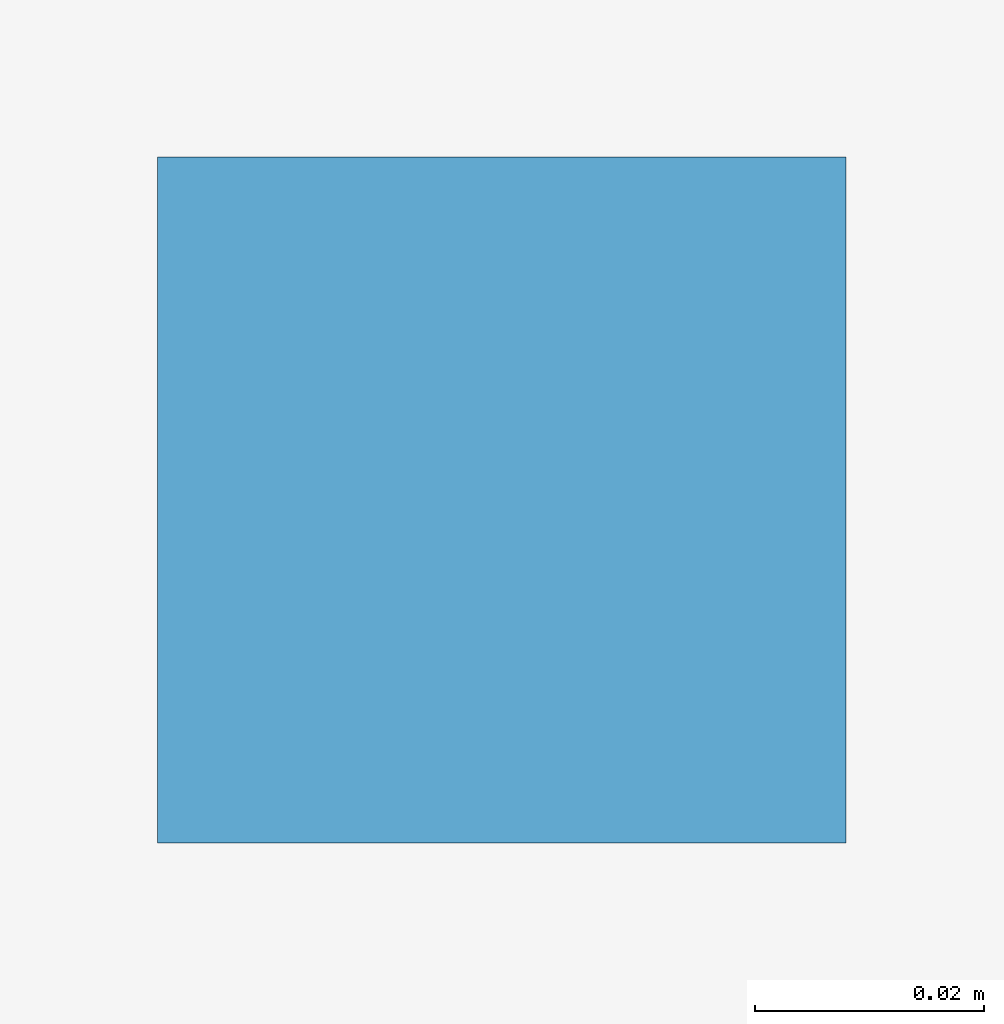
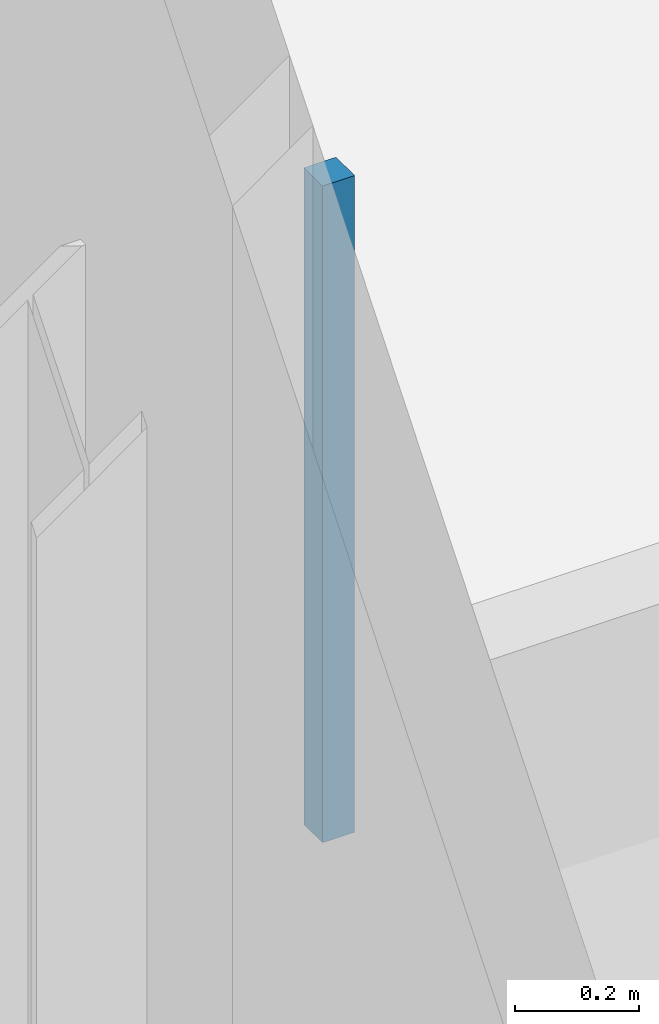
# One storey, part 89 of 110: 1 discrete accessory.
"""IFC4 building model written with IfcOpenShell, lengths in metres."""

from ifc_helpers import new_model, si_unit, direction, frame, origin, place, context, subcontext, project, spatial, polyline, outline, extrude, material, type_object, element, save


model = new_model("IFC4")

# Units and contexts
model_context = context("Model", 3, precision=1e-05, world=origin(), true_north=direction((0.0, 1.0)))
body_context = subcontext(model_context, "Body", "Model", "MODEL_VIEW")
ifc_project = project(units=[si_unit("LENGTHUNIT", "METRE"), si_unit("AREAUNIT", "SQUARE_METRE"), si_unit("VOLUMEUNIT", "CUBIC_METRE"), si_unit("PLANEANGLEUNIT", "RADIAN"), si_unit("MASSUNIT", "GRAM", prefix="KILO")], contexts=[model_context])

# Site, building, storey
site_placement = place(None, origin())
site = spatial("IfcSite", under=ifc_project, at=site_placement, CompositionType="ELEMENT")
building_placement = place(site_placement, origin())
building = spatial("IfcBuilding", under=site, at=building_placement, Name="Dunescarp Central Library", CompositionType="ELEMENT")
storey_placement = place(building_placement, frame((0.0, 0.0, 9.60009765625)))
storey = spatial("IfcBuildingStorey", under=building, at=storey_placement, Name="L02", CompositionType="ELEMENT", Elevation=9.60009765625)

# Discrete accessory
ifc_material = material(Name="Stainless steel Grade 316L", Category="steel")
discrete_accessory_type = type_object("IfcDiscreteAccessoryType", Name="ARC-ACC-BRK", PredefinedType="BRACKET", material=ifc_material)
discrete_accessory_placement = place(storey_placement, frame((0.0, 0.0, 3.059814453125)))
element("IfcDiscreteAccessory", 1, at=discrete_accessory_placement, inside=storey, type_object=discrete_accessory_type, Name="L02 ceiling hanger CLG-L02-155-H1", PredefinedType="BRACKET", context=body_context, shape_type="SweptSolid", body=[
    extrude(outline(polyline([(149.419921875, 30.6201171875), (149.47998046875, 30.6201171875), (149.47998046875, 30.679931640625), (149.419921875, 30.679931640625), (149.419921875, 30.6201171875)])), origin(), (0.0, 0.0, 1.0), 1.296142578125),
])

save(model, "model.ifc")
